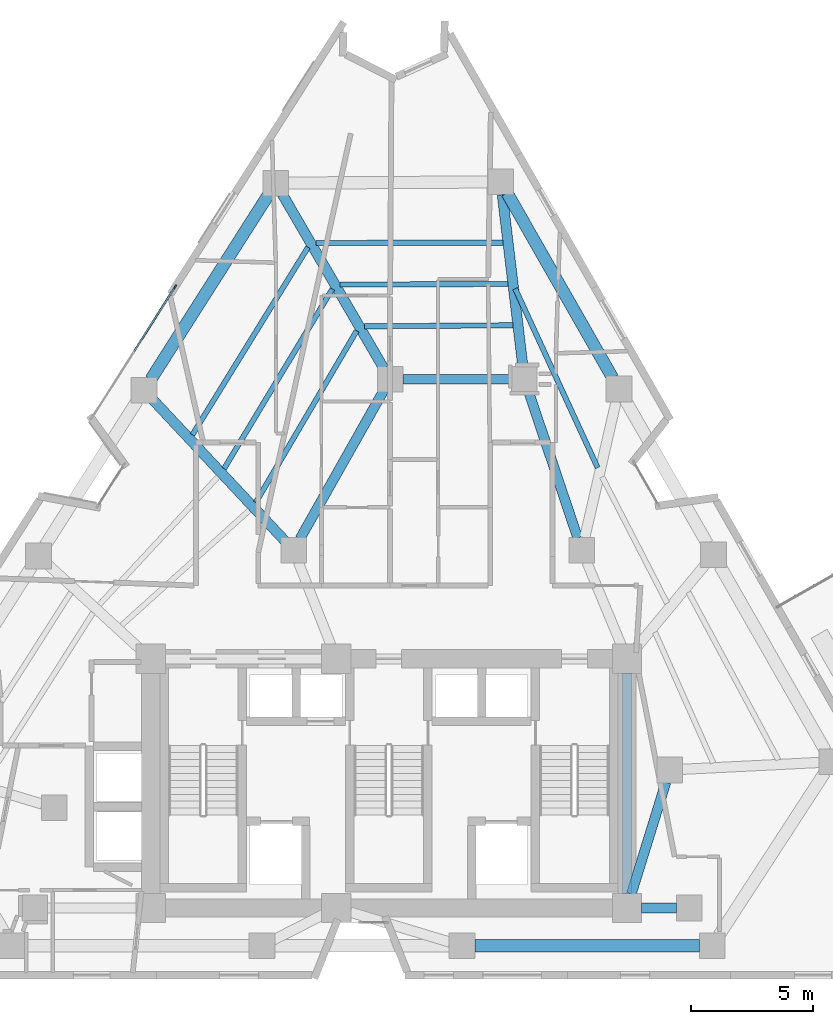
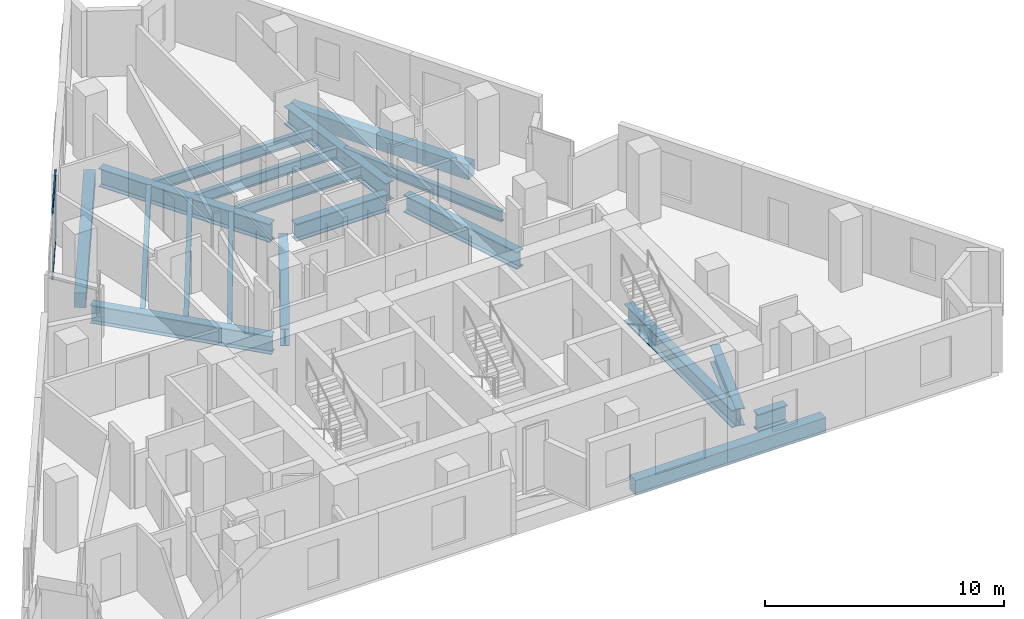
# One storey, part 3 of 11: 19 beams, 3 members, 1 element without a shape of its own.
"""IFC4 building model written with IfcOpenShell, lengths in metres."""

from ifc_helpers import new_model, si_unit, direction, frame, origin, origin_2d, place, context, subcontext, project, spatial, rectangle, i_section, extrude, material, layer, layer_set, material_profile, profile_set, type_object, element, aggregate, save


model = new_model("IFC4")

# Units and contexts
model_context = context("Model", 3, precision=1e-05, world=origin(), true_north=direction((0.0, 1.0)))
body_context = subcontext(model_context, "Body", "Model", "MODEL_VIEW")
ifc_project = project(units=[si_unit("LENGTHUNIT", "METRE"), si_unit("AREAUNIT", "SQUARE_METRE"), si_unit("VOLUMEUNIT", "CUBIC_METRE"), si_unit("PLANEANGLEUNIT", "RADIAN"), si_unit("MASSUNIT", "GRAM", prefix="KILO")], contexts=[model_context])

# Site, building, storey
site_placement = place(None, origin())
site = spatial("IfcSite", under=ifc_project, at=site_placement, CompositionType="ELEMENT")
building_placement = place(site_placement, origin())
building = spatial("IfcBuilding", under=site, at=building_placement, Name="Almagre Mirador Tower", CompositionType="ELEMENT")
storey_placement = place(building_placement, frame((0.0, 0.0, 146.39990234375)))
storey = spatial("IfcBuildingStorey", under=building, at=storey_placement, Name="L37", CompositionType="ELEMENT", Elevation=146.39990234375)

# Beams
ifc_material_1 = material(Name="Steel ASTM A992 Grade 50", Category="steel")
ifc_material_profile_1 = material_profile(ifc_material_1, i_section(OverallWidth=0.214111328125, OverallDepth=0.549072265625, WebThickness=0.0146484375, FlangeThickness=0.023681640625, FilletRadius=0.01806640625, at=origin_2d()), Name="W21X93")
ifc_profile_set_1 = profile_set([ifc_material_profile_1], Name="Steel ASTM A992 Grade 50")
beam_type_1 = type_object("IfcBeamType", Name="BM-JST-W21X93", PredefinedType="JOIST", material=ifc_profile_set_1)
beam_1_placement = place(storey_placement, frame((45.847900390625, 22.576904296875, -0.5244140625), z_axis=(-0.418457733438, 0.908236271752, 0.0), x_axis=(-0.908236271752, -0.418457733438, 0.0)))
element("IfcBeam", 1, at=beam_1_placement, inside=storey, type_object=beam_type_1, Name="L37 secondary floor joist PC07-PC08.2", PredefinedType="JOIST", context=body_context, shape_type="SweptSolid", body=[
    extrude(i_section(OverallWidth=0.214111328125, OverallDepth=0.549072265625, WebThickness=0.0146484375, FlangeThickness=0.023681640625, FilletRadius=0.01806640625, at=origin_2d()), origin(), (0.0, 0.0, 1.0), 8.07177734375),
])
beam_2_placement = place(storey_placement, frame((41.971435546875, 31.785888671875, -0.5244140625), z_axis=(-0.999999707769, -0.000764501417, 0.0), x_axis=(0.000764501417, -0.999999707769, 0.0)))
element("IfcBeam", 2, at=beam_2_placement, inside=storey, type_object=beam_type_1, Name="L37 secondary floor joist PC08-PC09.1", PredefinedType="JOIST", context=body_context, shape_type="SweptSolid", body=[
    extrude(i_section(OverallWidth=0.214111328125, OverallDepth=0.549072265625, WebThickness=0.0146484375, FlangeThickness=0.023681640625, FilletRadius=0.01806640625, at=origin_2d()), origin(), (0.0, 0.0, 1.0), 7.664306640625),
])
beam_3_placement = place(storey_placement, frame((42.173828125, 30.096923828125, -0.5244140625), z_axis=(-0.999993432119, -0.00362432328, 0.0), x_axis=(0.00362432328, -0.999993432119, 0.0)))
element("IfcBeam", 3, at=beam_3_placement, inside=storey, type_object=beam_type_1, Name="L37 secondary floor joist PC08-PC09.2", PredefinedType="JOIST", context=body_context, shape_type="SweptSolid", body=[
    extrude(i_section(OverallWidth=0.214111328125, OverallDepth=0.549072265625, WebThickness=0.0146484375, FlangeThickness=0.023681640625, FilletRadius=0.01806640625, at=origin_2d()), origin(), (0.0, 0.0, 1.0), 6.870849609375),
])
beam_4_placement = place(storey_placement, frame((42.376220703125, 28.407958984375, -0.5244140625), z_axis=(-0.999973857717, -0.007230759426, 0.0), x_axis=(0.007230759426, -0.999973857717, 0.0)))
element("IfcBeam", 4, at=beam_4_placement, inside=storey, type_object=beam_type_1, Name="L37 secondary floor joist PC08-PC09.3", PredefinedType="JOIST", context=body_context, shape_type="SweptSolid", body=[
    extrude(i_section(OverallWidth=0.214111328125, OverallDepth=0.549072265625, WebThickness=0.0146484375, FlangeThickness=0.023681640625, FilletRadius=0.01806640625, at=origin_2d()), origin(), (0.0, 0.0, 1.0), 6.07763671875),
])
beam_5_placement = place(storey_placement, frame((33.988525390625, 31.601806640625, -0.5244140625), z_axis=(-0.524723978191, -0.851272428022, 0.0), x_axis=(0.851272428022, -0.524723978191, 0.0)))
element("IfcBeam", 5, at=beam_5_placement, inside=storey, type_object=beam_type_1, Name="L37 secondary floor joist PC09-PC10.1", PredefinedType="JOIST", context=body_context, shape_type="SweptSolid", body=[
    extrude(i_section(OverallWidth=0.214111328125, OverallDepth=0.549072265625, WebThickness=0.0146484375, FlangeThickness=0.023681640625, FilletRadius=0.01806640625, at=origin_2d()), origin(), (0.0, 0.0, 1.0), 9.020263671875),
])
beam_6_placement = place(storey_placement, frame((34.986083984375, 29.89208984375, -0.5244140625), z_axis=(-0.516288028527, -0.856415011311, 0.0), x_axis=(0.856415011311, -0.516288028527, 0.0)))
element("IfcBeam", 6, at=beam_6_placement, inside=storey, type_object=beam_type_1, Name="L37 secondary floor joist PC09-PC10.2", PredefinedType="JOIST", context=body_context, shape_type="SweptSolid", body=[
    extrude(i_section(OverallWidth=0.214111328125, OverallDepth=0.549072265625, WebThickness=0.0146484375, FlangeThickness=0.023681640625, FilletRadius=0.01806640625, at=origin_2d()), origin(), (0.0, 0.0, 1.0), 8.58837890625),
])
beam_7_placement = place(storey_placement, frame((35.98388671875, 28.18212890625, -0.5244140625), z_axis=(-0.506949493814, -0.861975759939, 0.0), x_axis=(0.861975759939, -0.506949493814, 0.0)))
element("IfcBeam", 7, at=beam_7_placement, inside=storey, type_object=beam_type_1, Name="L37 secondary floor joist PC09-PC10.3", PredefinedType="JOIST", context=body_context, shape_type="SweptSolid", body=[
    extrude(i_section(OverallWidth=0.214111328125, OverallDepth=0.549072265625, WebThickness=0.0146484375, FlangeThickness=0.023681640625, FilletRadius=0.01806640625, at=origin_2d()), origin(), (0.0, 0.0, 1.0), 8.1572265625),
])
ifc_material_2 = material(Name="Precast concrete C50/60", Category="concrete")
ifc_material_profile_2 = material_profile(ifc_material_2, rectangle(XDim=0.5, YDim=0.75, at=origin_2d()), Name="RC500X750")
ifc_profile_set_2 = profile_set([ifc_material_profile_2], Name="Precast concrete C50/60")
beam_type_2 = type_object("IfcBeamType", Name="BM-SPN-RC500X750", PredefinedType="SPANDREL", material=ifc_profile_set_2)
beam_8_placement = place(storey_placement, frame((40.821044921875, 3.0, -0.625), z_axis=(1.0, 0.0, 0.0), x_axis=(0.0, 1.0, 0.0)))
element("IfcBeam", 8, at=beam_8_placement, inside=storey, type_object=beam_type_2, Name="L37 perimeter spandrel beam PC03-PC04", PredefinedType="SPANDREL", context=body_context, shape_type="SweptSolid", body=[
    extrude(rectangle(XDim=0.5, YDim=0.75, at=origin_2d()), origin(), (0.0, 0.0, 1.0), 9.18994140625),
])
beam_9_placement = place(storey_placement, frame((46.4619140625, 26.2529296875, -0.625), z_axis=(-0.495722514223, 0.868480966339, 0.0), x_axis=(-0.868480966339, -0.495722514223, 0.0)))
element("IfcBeam", 9, at=beam_9_placement, inside=storey, type_object=beam_type_2, Name="L37 perimeter spandrel beam PC07-PC08", PredefinedType="SPANDREL", context=body_context, shape_type="SweptSolid", body=[
    extrude(rectangle(XDim=0.5, YDim=0.75, at=origin_2d()), origin(), (0.0, 0.0, 1.0), 8.714111328125),
])
beam_10_placement = place(storey_placement, frame((32.389892578125, 33.7841796875, -0.625), z_axis=(-0.53711935681, -0.84350625163, 0.0), x_axis=(0.84350625163, -0.53711935681, 0.0)))
element("IfcBeam", 10, at=beam_10_placement, inside=storey, type_object=beam_type_2, Name="L37 perimeter spandrel beam PC09-PC10", PredefinedType="SPANDREL", context=body_context, shape_type="SweptSolid", body=[
    extrude(rectangle(XDim=0.5, YDim=0.75, at=origin_2d()), origin(), (0.0, 0.0, 1.0), 9.00341796875),
])
ifc_material_3 = material(Name="Steel ASTM A992 Grade 50", Category="steel")
ifc_material_profile_3 = material_profile(ifc_material_3, i_section(OverallWidth=0.404052734375, OverallDepth=0.884033203125, WebThickness=0.0244140625, FlangeThickness=0.0439453125, FilletRadius=0.02490234375, at=origin_2d()), Name="W33X291")
ifc_profile_set_3 = profile_set([ifc_material_profile_3], Name="Steel ASTM A992 Grade 50")
beam_type_3 = type_object("IfcBeamType", Name="BM-STL-W33X291", PredefinedType="BEAM", material=ifc_profile_set_3)
beam_11_placement = place(storey_placement, frame((37.875, 26.199951171875, -0.69189453125), z_axis=(1.0, 0.0, 0.0), x_axis=(0.0, 1.0, 0.0)))
element("IfcBeam", 11, at=beam_11_placement, inside=storey, type_object=beam_type_3, Name="L37 core tie girder MC7-MC6", PredefinedType="BEAM", context=body_context, shape_type="SweptSolid", body=[
    extrude(i_section(OverallWidth=0.404052734375, OverallDepth=0.884033203125, WebThickness=0.0244140625, FlangeThickness=0.0439453125, FilletRadius=0.02490234375, at=origin_2d()), origin(), (0.0, 0.0, 1.0), 4.449951171875),
])
beam_12_placement = place(storey_placement, frame((47.050048828125, 5.14990234375, -0.69189453125), z_axis=(0.0, 1.0, 0.0), x_axis=(-1.0, 0.0, 0.0)))
element("IfcBeam", 12, at=beam_12_placement, inside=storey, type_object=beam_type_3, Name="L37 core tie girder CC3-CC6", PredefinedType="BEAM", context=body_context, shape_type="SweptSolid", body=[
    extrude(i_section(OverallWidth=0.404052734375, OverallDepth=0.884033203125, WebThickness=0.0244140625, FlangeThickness=0.0439453125, FilletRadius=0.02490234375, at=origin_2d()), origin(), (0.0, 0.0, 1.0), 9.0),
])
beam_13_placement = place(storey_placement, frame((49.074951171875, 4.550048828125, -0.69189453125), z_axis=(-1.0, 0.0, 0.0), x_axis=(0.0, -1.0, 0.0)))
element("IfcBeam", 13, at=beam_13_placement, inside=storey, type_object=beam_type_3, Name="L37 core tie girder MC2-CC3", PredefinedType="BEAM", context=body_context, shape_type="SweptSolid", body=[
    extrude(i_section(OverallWidth=0.404052734375, OverallDepth=0.884033203125, WebThickness=0.0244140625, FlangeThickness=0.0439453125, FilletRadius=0.02490234375, at=origin_2d()), origin(), (0.0, 0.0, 1.0), 1.425048828125),
])
beam_14_placement = place(storey_placement, frame((48.644775390625, 9.698486328125, -0.69189453125), z_axis=(-0.295879743348, -0.955225197258, 0.0), x_axis=(0.955225197258, -0.295879743348, 0.0)))
element("IfcBeam", 14, at=beam_14_placement, inside=storey, type_object=beam_type_3, Name="L37 core tie girder MC3-CC3", PredefinedType="BEAM", context=body_context, shape_type="SweptSolid", body=[
    extrude(i_section(OverallWidth=0.404052734375, OverallDepth=0.884033203125, WebThickness=0.0244140625, FlangeThickness=0.0439453125, FilletRadius=0.02490234375, at=origin_2d()), origin(), (0.0, 0.0, 1.0), 4.789794921875),
])
beam_15_placement = place(storey_placement, frame((43.01708984375, 25.702392578125, -0.69189453125), z_axis=(0.318262189587, -0.948002731367, 0.0), x_axis=(0.948002731367, 0.318262189587, 0.0)))
element("IfcBeam", 15, at=beam_15_placement, inside=storey, type_object=beam_type_3, Name="L37 core tie girder MC6-MC5", PredefinedType="BEAM", context=body_context, shape_type="SweptSolid", body=[
    extrude(i_section(OverallWidth=0.404052734375, OverallDepth=0.884033203125, WebThickness=0.0244140625, FlangeThickness=0.0439453125, FilletRadius=0.02490234375, at=origin_2d()), origin(), (0.0, 0.0, 1.0), 6.333984375),
])
beam_16_placement = place(storey_placement, frame((37.092041015625, 25.742919921875, -0.69189453125), z_axis=(-0.491443510044, -0.870909453638, 0.0), x_axis=(0.870909453638, -0.491443510044, 0.0)))
element("IfcBeam", 16, at=beam_16_placement, inside=storey, type_object=beam_type_3, Name="L37 core tie girder MC7-MC8", PredefinedType="BEAM", context=body_context, shape_type="SweptSolid", body=[
    extrude(i_section(OverallWidth=0.404052734375, OverallDepth=0.884033203125, WebThickness=0.0244140625, FlangeThickness=0.0439453125, FilletRadius=0.02490234375, at=origin_2d()), origin(), (0.0, 0.0, 1.0), 6.98779296875),
])
ifc_material_4 = material(Name="Steel ASTM A992 Grade 50", Category="steel")
ifc_material_profile_4 = material_profile(ifc_material_4, i_section(OverallWidth=0.41796875, OverallDepth=0.927001953125, WebThickness=0.019287109375, FlangeThickness=0.031982421875, FilletRadius=0.028076171875, at=origin_2d()), Name="W36X231")
ifc_profile_set_4 = profile_set([ifc_material_profile_4], Name="Steel ASTM A992 Grade 50")
beam_type_4 = type_object("IfcBeamType", Name="BM-STL-W36X231", PredefinedType="BEAM", material=ifc_profile_set_4)
beam_17_placement = place(storey_placement, frame((41.944580078125, 33.755615234375, -0.71337890625), z_axis=(0.118990312316, -0.992895415225, 0.0), x_axis=(0.992895415225, 0.118990312316, 0.0)))
element("IfcBeam", 17, at=beam_17_placement, inside=storey, type_object=beam_type_4, Name="L37 radial floor girder PC08-MC6", PredefinedType="BEAM", context=body_context, shape_type="SweptSolid", body=[
    extrude(i_section(OverallWidth=0.41796875, OverallDepth=0.927001953125, WebThickness=0.019287109375, FlangeThickness=0.031982421875, FilletRadius=0.028076171875, at=origin_2d()), origin(), (0.0, 0.0, 1.0), 7.084716796875),
])
beam_18_placement = place(storey_placement, frame((32.936279296875, 33.7734375, -0.71337890625), z_axis=(0.503522841175, -0.863981914403, 0.0), x_axis=(0.863981914403, 0.503522841175, 0.0)))
element("IfcBeam", 18, at=beam_18_placement, inside=storey, type_object=beam_type_4, Name="L37 radial floor girder PC09-MC7", PredefinedType="BEAM", context=body_context, shape_type="SweptSolid", body=[
    extrude(i_section(OverallWidth=0.41796875, OverallDepth=0.927001953125, WebThickness=0.019287109375, FlangeThickness=0.031982421875, FilletRadius=0.028076171875, at=origin_2d()), origin(), (0.0, 0.0, 1.0), 8.24072265625),
])
beam_19_placement = place(storey_placement, frame((27.630859375, 25.36376953125, -0.71337890625), z_axis=(0.683347013073, -0.730093733519, 0.0), x_axis=(0.730093733519, 0.683347013073, 0.0)))
element("IfcBeam", 19, at=beam_19_placement, inside=storey, type_object=beam_type_4, Name="L37 radial floor girder PC10-MC8", PredefinedType="BEAM", context=body_context, shape_type="SweptSolid", body=[
    extrude(i_section(OverallWidth=0.41796875, OverallDepth=0.927001953125, WebThickness=0.019287109375, FlangeThickness=0.031982421875, FilletRadius=0.028076171875, at=origin_2d()), origin(), (0.0, 0.0, 1.0), 7.91748046875),
])

# Curtain wall, members
ifc_material_5 = material(Name="Black anodized aluminium", Category="aluminium")
ifc_layer = layer(ifc_material_5, 0.199951171875)
ifc_layer_set = layer_set([ifc_layer], Name="Black anodized aluminium")
curtain_wall_type = type_object("IfcCurtainWallType", Name="CW-RES-H-SYS", PredefinedType="NOTDEFINED", material=ifc_layer_set)
curtain_wall_placement = place(storey_placement, origin())
curtain_wall = element("IfcCurtainWall", 20, at=curtain_wall_placement, inside=storey, type_object=curtain_wall_type, Name="L37 curtain wall run 02", PredefinedType="NOTDEFINED")
ifc_material_6 = material(Name="Black anodized aluminium", Category="aluminium")
ifc_material_profile_5 = material_profile(ifc_material_6, rectangle(XDim=0.06494140625, YDim=0.179931640625, at=origin_2d()), Name="CWM65X180")
ifc_profile_set_5 = profile_set([ifc_material_profile_5], Name="Black anodized aluminium")
member_type_1 = type_object("IfcMemberType", Name="MBR-CWM65X180", PredefinedType="MULLION", material=ifc_profile_set_5)
member_1_placement = place(storey_placement, frame((28.546875, 29.9833984375, 0.0), z_axis=(0.0, 0.0, 1.0), x_axis=(-0.843517584645, 0.537101558734, 0.0)))
member_1 = element("IfcMember", 21, at=member_1_placement, type_object=member_type_1, Name="CW-3 mullion 3", PredefinedType="MULLION", context=body_context, shape_type="SweptSolid", body=[
    extrude(rectangle(XDim=0.06494140625, YDim=0.179931640625, at=origin_2d()), origin(), (0.0, 0.0, 1.0), 3.35009765625),
])
ifc_material_7 = material(Name="Black anodized aluminium", Category="aluminium")
ifc_material_profile_6 = material_profile(ifc_material_7, rectangle(XDim=0.06494140625, YDim=0.14990234375, at=origin_2d()), Name="CWT65X150")
ifc_profile_set_6 = profile_set([ifc_material_profile_6], Name="Black anodized aluminium")
member_type_2 = type_object("IfcMemberType", Name="MBR-CWT65X150", PredefinedType="USERDEFINED", material=ifc_profile_set_6)
member_2_placement = place(storey_placement, frame((26.860107421875, 27.334228515625, 0.03271484375), z_axis=(0.537083878905, 0.843528841843, 0.0), x_axis=(-0.843528841843, 0.537083878905, 0.0)))
member_2 = element("IfcMember", 22, at=member_2_placement, type_object=member_type_2, Name="CW-3 transom 2.1", ObjectType="TRANSOM", PredefinedType="USERDEFINED", context=body_context, shape_type="SweptSolid", body=[
    extrude(rectangle(XDim=0.06494140625, YDim=0.14990234375, at=origin_2d()), origin(), (0.0, 0.0, 1.0), 3.10791015625),
])
member_3_placement = place(storey_placement, frame((26.860107421875, 27.334228515625, 3.317626953125), z_axis=(0.537083878905, 0.843528841843, 0.0), x_axis=(-0.843528841843, 0.537083878905, 0.0)))
member_3 = element("IfcMember", 23, at=member_3_placement, type_object=member_type_2, Name="CW-3 transom 2.2", ObjectType="TRANSOM", PredefinedType="USERDEFINED", context=body_context, shape_type="SweptSolid", body=[
    extrude(rectangle(XDim=0.06494140625, YDim=0.14990234375, at=origin_2d()), origin(), (0.0, 0.0, 1.0), 3.10791015625),
])
aggregate(curtain_wall, [member_1, member_2, member_3])

save(model, "model.ifc")
